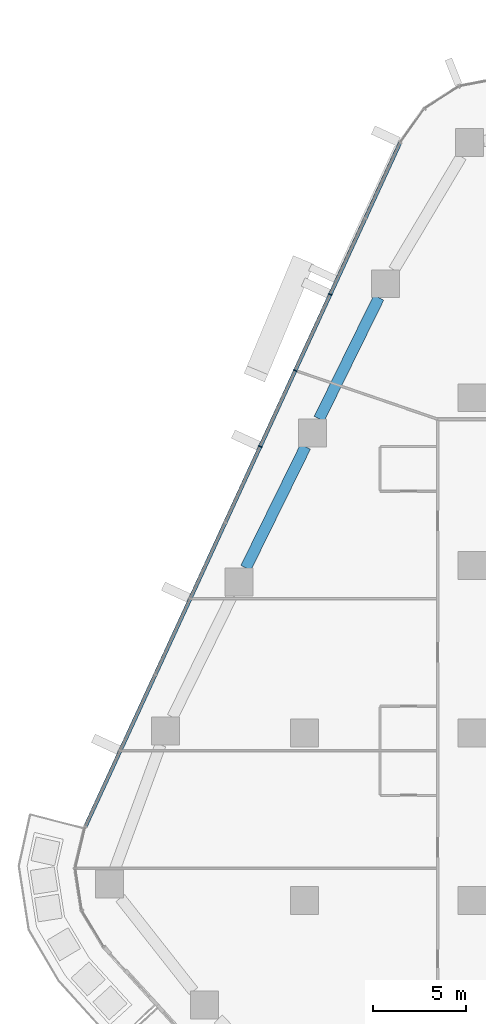
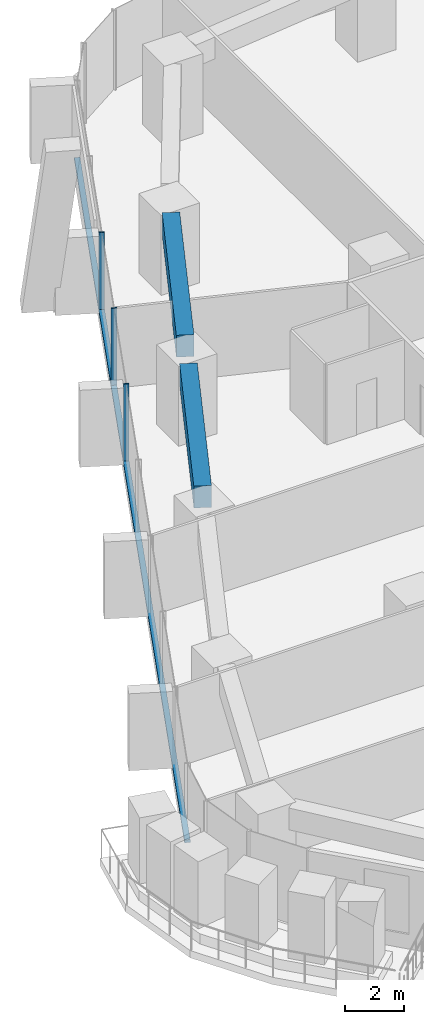
# One storey, part 6 of 26: 4 members, 2 beams, 1 element without a shape of its own.
"""IFC4 building model written with IfcOpenShell, lengths in metres."""

from ifc_helpers import new_model, si_unit, direction, frame, origin, origin_2d, place, context, subcontext, project, spatial, rectangle, extrude, material, layer, layer_set, material_profile, profile_set, type_object, element, aggregate, save


model = new_model("IFC4")

# Units and contexts
model_context = context("Model", 3, precision=1e-05, world=origin(), true_north=direction((0.0, 1.0)))
body_context = subcontext(model_context, "Body", "Model", "MODEL_VIEW")
ifc_project = project(units=[si_unit("LENGTHUNIT", "METRE"), si_unit("AREAUNIT", "SQUARE_METRE"), si_unit("VOLUMEUNIT", "CUBIC_METRE"), si_unit("PLANEANGLEUNIT", "RADIAN"), si_unit("MASSUNIT", "GRAM", prefix="KILO")], contexts=[model_context])

# Site, building, storey
site_placement = place(None, origin())
site = spatial("IfcSite", under=ifc_project, at=site_placement, CompositionType="ELEMENT")
building_placement = place(site_placement, origin())
building = spatial("IfcBuilding", under=site, at=building_placement, Name="Dongbaek Canopy Tower", CompositionType="ELEMENT")
storey_placement = place(building_placement, frame((0.0, 0.0, 73.60009765625)))
storey = spatial("IfcBuildingStorey", under=building, at=storey_placement, Name="L14", CompositionType="ELEMENT", Elevation=73.60009765625)

# Curtain wall, members
ifc_material_1 = material(Name="Aluminium 6063-T6 pale anodised", Category="aluminium")
ifc_layer = layer(ifc_material_1, 0.199951171875)
ifc_layer_set = layer_set([ifc_layer], Name="CW-1 unitised tower curtain wall")
curtain_wall_type = type_object("IfcCurtainWallType", Name="CW-1 unitised tower curtain wall", PredefinedType="NOTDEFINED", material=ifc_layer_set)
curtain_wall_placement = place(storey_placement, origin())
curtain_wall = element("IfcCurtainWall", 1, at=curtain_wall_placement, inside=storey, type_object=curtain_wall_type, Name="CW-1 curtain wall F2.1", PredefinedType="NOTDEFINED")
ifc_material_2 = material(Name="Aluminium 6063-T6 pale anodised", Category="aluminium")
ifc_material_profile_1 = material_profile(ifc_material_2, rectangle(XDim=0.199951171875, YDim=0.06005859375, at=origin_2d()), Name="CW-1 mullion 60 x 200")
ifc_profile_set_1 = profile_set([ifc_material_profile_1], Name="Aluminium 6063-T6 pale anodised")
member_type_1 = type_object("IfcMemberType", Name="CW-1 mullion 60 x 200", PredefinedType="MULLION", material=ifc_profile_set_1)
member_1_placement = place(storey_placement, frame((-25.623046875, 23.5498046875, 0.119873046875), z_axis=(0.0, 0.0, 1.0), x_axis=(-0.908435687115, 0.418024643264, 0.0)))
member_1 = element("IfcMember", 2, at=member_1_placement, type_object=member_type_1, Name="CW-1 mullion F2.1.3", PredefinedType="MULLION", context=body_context, shape_type="SweptSolid", body=[
    extrude(rectangle(XDim=0.199951171875, YDim=0.06005859375, at=origin_2d()), origin(), (0.0, 0.0, 1.0), 3.179931640625),
])
member_2_placement = place(storey_placement, frame((-27.502685546875, 19.465087890625, 0.119873046875), z_axis=(0.0, 0.0, 1.0), x_axis=(-0.908435687115, 0.418024643264, 0.0)))
member_2 = element("IfcMember", 3, at=member_2_placement, type_object=member_type_1, Name="CW-1 mullion F2.1.4", PredefinedType="MULLION", context=body_context, shape_type="SweptSolid", body=[
    extrude(rectangle(XDim=0.199951171875, YDim=0.06005859375, at=origin_2d()), origin(), (0.0, 0.0, 1.0), 3.179931640625),
])
member_3_placement = place(storey_placement, frame((-29.38232421875, 15.380126953125, 0.119873046875), z_axis=(0.0, 0.0, 1.0), x_axis=(-0.908435687115, 0.418024643264, 0.0)))
member_3 = element("IfcMember", 4, at=member_3_placement, type_object=member_type_1, Name="CW-1 mullion F2.1.5", PredefinedType="MULLION", context=body_context, shape_type="SweptSolid", body=[
    extrude(rectangle(XDim=0.199951171875, YDim=0.06005859375, at=origin_2d()), origin(), (0.0, 0.0, 1.0), 3.179931640625),
])
ifc_material_3 = material(Name="Aluminium 6063-T6 pale anodised", Category="aluminium")
ifc_material_profile_2 = material_profile(ifc_material_3, rectangle(XDim=0.199951171875, YDim=0.1201171875, at=origin_2d()), Name="CW-1 transom 120 x 200")
ifc_profile_set_2 = profile_set([ifc_material_profile_2], Name="Aluminium 6063-T6 pale anodised")
member_type_2 = type_object("IfcMemberType", Name="CW-1 transom 120 x 200", PredefinedType="USERDEFINED", material=ifc_profile_set_2)
member_4_placement = place(storey_placement, frame((-21.86767578125, 31.7109375, 0.059814453125), z_axis=(-0.418022571497, -0.908436640454, 0.0), x_axis=(0.908436640454, -0.418022571497, 0.0)))
member_4 = element("IfcMember", 5, at=member_4_placement, type_object=member_type_2, Name="CW-1 transom F2.1.1", ObjectType="TRANSOM", PredefinedType="USERDEFINED", context=body_context, shape_type="SweptSolid", body=[
    extrude(rectangle(XDim=0.199951171875, YDim=0.1201171875, at=origin_2d()), origin(), (0.0, 0.0, 1.0), 40.44970703125),
])
aggregate(curtain_wall, [member_1, member_2, member_3, member_4])

# Beams
ifc_material_4 = material(Name="Concrete C80", Category="concrete")
ifc_material_profile_3 = material_profile(ifc_material_4, rectangle(XDim=0.60009765625, YDim=0.89990234375, at=origin_2d()), Name="RC EDGE BEAM 600x900 C80")
ifc_profile_set_3 = profile_set([ifc_material_profile_3], Name="Concrete C80")
beam_type = type_object("IfcBeamType", Name="RC EDGE BEAM 600x900 C80", PredefinedType="BEAM", material=ifc_profile_set_3)
for number, where, z_axis, x_axis, name in (
    (6, (-30.156005859375, 8.861083984375, 2.849853515625), (0.441413427837, 0.897303842477, 0.0), (-0.897303842477, 0.441413427837, 0.0), "EDGEBEAM:L14:10"),
    (7, (-26.217041015625, 16.867919921875, 2.849853515625), (0.441318766596, 0.897350403271, 0.0), (-0.897350403271, 0.441318766596, 0.0), "EDGEBEAM:L14:11"),
):
    element("IfcBeam", number, at=place(storey_placement, frame(where, z_axis=z_axis, x_axis=x_axis)), inside=storey, type_object=beam_type, Name=name, PredefinedType="BEAM", context=body_context, shape_type="SweptSolid", body=[
        extrude(rectangle(XDim=0.60009765625, YDim=0.89990234375, at=origin_2d()), origin(), (0.0, 0.0, 1.0), 7.25146484375),
    ])

save(model, "model.ifc")
